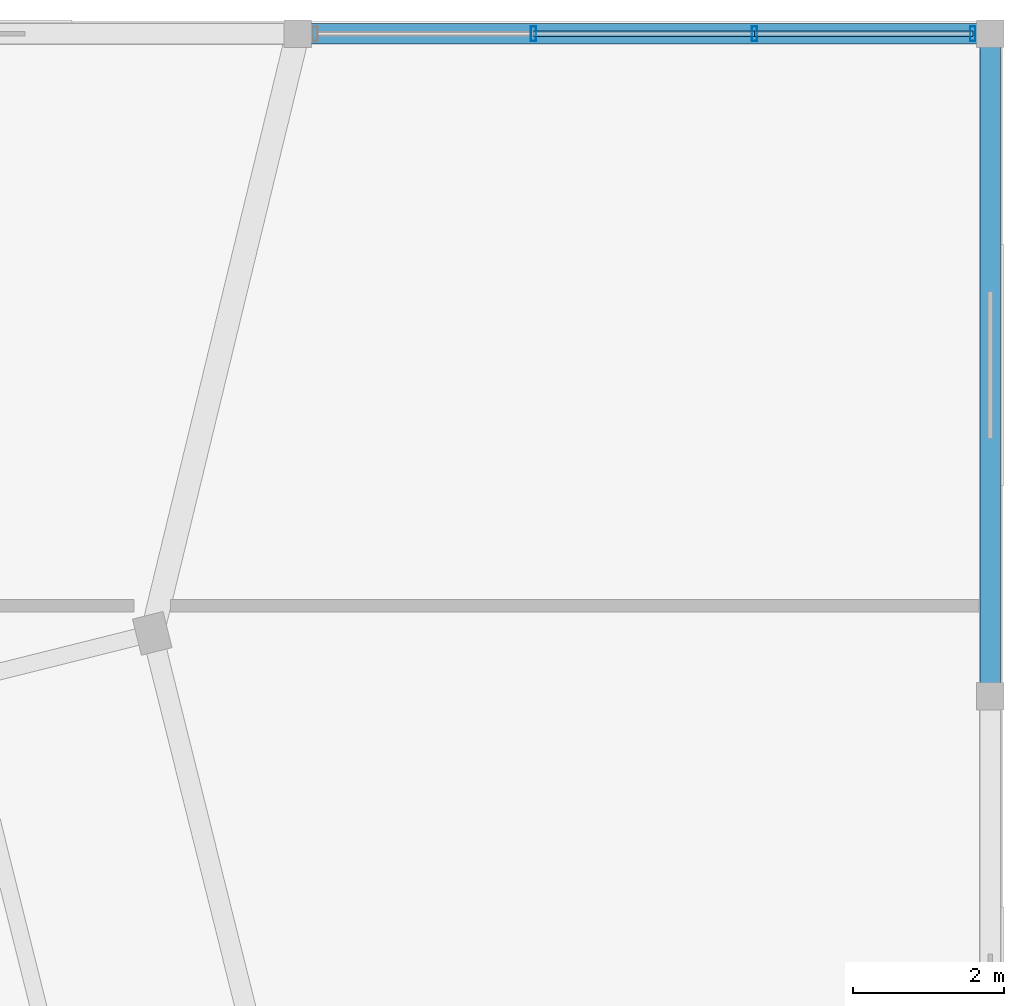
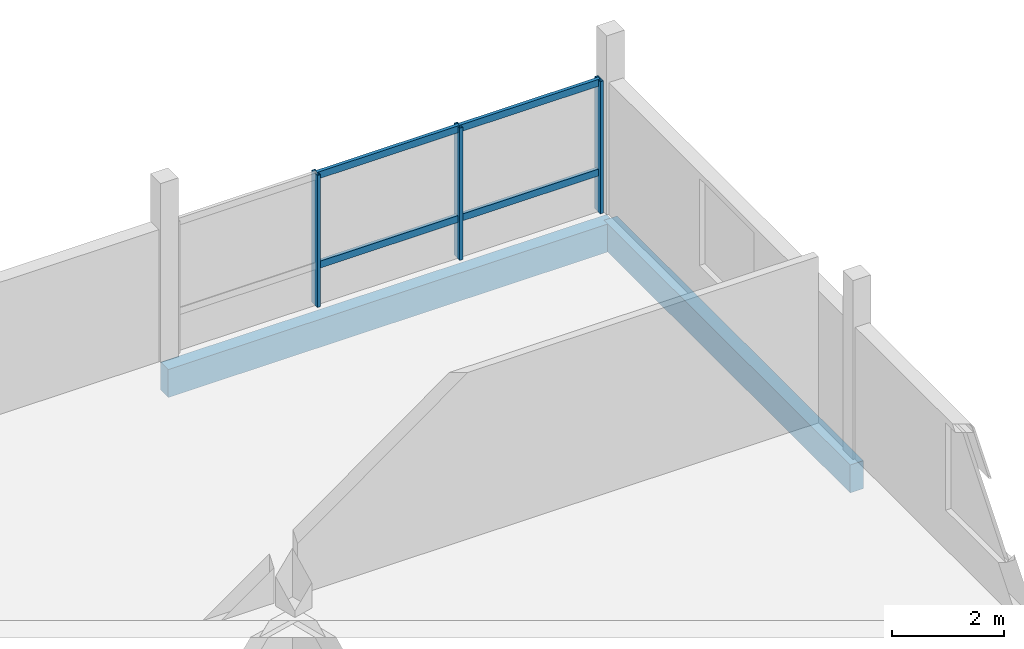
# One storey, part 31 of 39: 7 members, 2 beams, 1 element without a shape of its own.
"""IFC4 building model written with IfcOpenShell, lengths in metres."""

from ifc_helpers import new_model, si_unit, direction, frame, origin, origin_2d, place, context, subcontext, project, spatial, rectangle, hollow_rectangle, extrude, material, layer, layer_set, material_profile, profile_set, type_object, element, aggregate, save


model = new_model("IFC4")

# Units and contexts
model_context = context("Model", 3, precision=1e-05, world=origin(), true_north=direction((0.0, 1.0)))
body_context = subcontext(model_context, "Body", "Model", "MODEL_VIEW")
ifc_project = project(units=[si_unit("LENGTHUNIT", "METRE"), si_unit("AREAUNIT", "SQUARE_METRE"), si_unit("VOLUMEUNIT", "CUBIC_METRE"), si_unit("PLANEANGLEUNIT", "RADIAN"), si_unit("MASSUNIT", "GRAM", prefix="KILO")], contexts=[model_context])

# Site, building, storey
site_placement = place(None, origin())
site = spatial("IfcSite", under=ifc_project, at=site_placement, CompositionType="ELEMENT")
building_placement = place(site_placement, origin())
building = spatial("IfcBuilding", under=site, at=building_placement, Name="Meriwether Solvik Hall", CompositionType="ELEMENT")
storey_placement = place(building_placement, frame((0.0, 0.0, 22.199951171875)))
storey = spatial("IfcBuildingStorey", under=building, at=storey_placement, Name="L05", CompositionType="ELEMENT", Elevation=22.199951171875)

# Beams
ifc_material_1 = material(Name="Glulam Douglas-Fir 24F-V8 GL28h", Category="wood")
ifc_material_profile_1 = material_profile(ifc_material_1, rectangle(XDim=0.27294921875, YDim=0.610107421875, at=origin_2d()), Name="GLB-273X610")
ifc_profile_set_1 = profile_set([ifc_material_profile_1], Name="Glulam Douglas-Fir 24F-V8 GL28h")
beam_type = type_object("IfcBeamType", Name="BM-GL-273X610", PredefinedType="SPANDREL", material=ifc_profile_set_1)
beam_1_placement = place(storey_placement, frame((105.0, 92.800048828125, -0.550048828125), z_axis=(1.0, 0.0, 0.0), x_axis=(0.0, 1.0, 0.0)))
element("IfcBeam", 1, at=beam_1_placement, inside=storey, type_object=beam_type, Name="Podium Girder K:12-13 (L05)", PredefinedType="SPANDREL", context=body_context, shape_type="SweptSolid", body=[
    extrude(rectangle(XDim=0.27294921875, YDim=0.610107421875, at=origin_2d()), origin(), (0.0, 0.0, 1.0), 9.199951171875),
])
beam_2_placement = place(storey_placement, frame((114.199951171875, 84.0, -0.550048828125), z_axis=(0.0, 1.0, 0.0), x_axis=(-1.0, 0.0, 0.0)))
element("IfcBeam", 2, at=beam_2_placement, inside=storey, type_object=beam_type, Name="Podium Girder 13:J-K (L05)", PredefinedType="SPANDREL", context=body_context, shape_type="SweptSolid", body=[
    extrude(rectangle(XDim=0.27294921875, YDim=0.610107421875, at=origin_2d()), origin(), (0.0, 0.0, 1.0), 8.800048828125),
])

# Curtain wall, members
ifc_material_2 = material(Name="Thermally Broken Anodised Aluminium 6063-T6 and Low-E Glass", Category="aluminium")
ifc_layer = layer(ifc_material_2, 0.179931640625)
ifc_layer_set = layer_set([ifc_layer], Name="Thermally Broken Anodised Aluminium 6063-T6 and Low-E Glass")
curtain_wall_type = type_object("IfcCurtainWallType", Name="CW-UNIT-E", PredefinedType="USERDEFINED", material=ifc_layer_set)
curtain_wall_placement = place(storey_placement, origin())
curtain_wall = element("IfcCurtainWall", 3, at=curtain_wall_placement, inside=storey, type_object=curtain_wall_type, Name="Curtain Wall wing_XK_12_11 (L05)", ObjectType="UNITISED CURTAIN WALL", PredefinedType="USERDEFINED")
ifc_material_3 = material(Name="Anodised Aluminium 6063-T6", Category="aluminium")
ifc_material_profile_2 = material_profile(ifc_material_3, hollow_rectangle(XDim=0.070068359375, YDim=0.199951171875, WallThickness=0.0048828125, at=origin_2d()), Name="CWM-70X200")
ifc_profile_set_2 = profile_set([ifc_material_profile_2], Name="Anodised Aluminium 6063-T6")
member_type_1 = type_object("IfcMemberType", Name="CW-MUL-70X200", PredefinedType="MULLION", material=ifc_profile_set_2)
member_1_placement = place(storey_placement, frame((108.131591796875, 92.800048828125, 0.0), z_axis=(0.0, 0.0, 1.0), x_axis=(1.0, 0.0, 0.0)))
member_1 = element("IfcMember", 4, at=member_1_placement, type_object=member_type_1, Name="Curtain Wall Mullion 2", PredefinedType="MULLION", context=body_context, shape_type="SweptSolid", body=[
    extrude(hollow_rectangle(XDim=0.070068359375, YDim=0.199951171875, WallThickness=0.0048828125, at=origin_2d()), origin(), (0.0, 0.0, 1.0), 2.880126953125),
])
member_2_placement = place(storey_placement, frame((111.068603515625, 92.800048828125, 0.0), z_axis=(0.0, 0.0, 1.0), x_axis=(1.0, 0.0, 0.0)))
member_2 = element("IfcMember", 5, at=member_2_placement, type_object=member_type_1, Name="Curtain Wall Mullion 3", PredefinedType="MULLION", context=body_context, shape_type="SweptSolid", body=[
    extrude(hollow_rectangle(XDim=0.070068359375, YDim=0.199951171875, WallThickness=0.0048828125, at=origin_2d()), origin(), (0.0, 0.0, 1.0), 2.880126953125),
])
member_3_placement = place(storey_placement, frame((113.967529296875, 92.800048828125, 0.0), z_axis=(0.0, 0.0, 1.0), x_axis=(1.0, 0.0, 0.0)))
member_3 = element("IfcMember", 6, at=member_3_placement, type_object=member_type_1, Name="Curtain Wall Mullion 4", PredefinedType="MULLION", context=body_context, shape_type="SweptSolid", body=[
    extrude(hollow_rectangle(XDim=0.070068359375, YDim=0.199951171875, WallThickness=0.0048828125, at=origin_2d()), origin(), (0.0, 0.0, 1.0), 2.880126953125),
])
ifc_material_4 = material(Name="Anodised Aluminium 6063-T6", Category="aluminium")
ifc_material_profile_3 = material_profile(ifc_material_4, hollow_rectangle(XDim=0.070068359375, YDim=0.14990234375, WallThickness=0.0048828125, at=origin_2d()), Name="CWT-70X150")
ifc_profile_set_3 = profile_set([ifc_material_profile_3], Name="Anodised Aluminium 6063-T6")
member_type_2 = type_object("IfcMemberType", Name="CW-TRN-70X150", PredefinedType="USERDEFINED", material=ifc_profile_set_3)
member_4_placement = place(storey_placement, frame((108.131591796875, 92.800048828125, 0.864013671875), z_axis=(1.0, 0.0, 0.0), x_axis=(0.0, 1.0, 0.0)))
member_4 = element("IfcMember", 7, at=member_4_placement, type_object=member_type_2, Name="Curtain Wall Transom 2-sill", ObjectType="TRANSOM", PredefinedType="USERDEFINED", context=body_context, shape_type="SweptSolid", body=[
    extrude(hollow_rectangle(XDim=0.070068359375, YDim=0.14990234375, WallThickness=0.0048828125, at=origin_2d()), origin(), (0.0, 0.0, 1.0), 2.93701171875),
])
member_5_placement = place(storey_placement, frame((108.131591796875, 92.800048828125, 2.820068359375), z_axis=(1.0, 0.0, 0.0), x_axis=(0.0, 1.0, 0.0)))
member_5 = element("IfcMember", 8, at=member_5_placement, type_object=member_type_2, Name="Curtain Wall Transom 2-head", ObjectType="TRANSOM", PredefinedType="USERDEFINED", context=body_context, shape_type="SweptSolid", body=[
    extrude(hollow_rectangle(XDim=0.070068359375, YDim=0.14990234375, WallThickness=0.0048828125, at=origin_2d()), origin(), (0.0, 0.0, 1.0), 2.93701171875),
])
member_6_placement = place(storey_placement, frame((111.068603515625, 92.800048828125, 0.864013671875), z_axis=(1.0, 0.0, 0.0), x_axis=(0.0, 1.0, 0.0)))
member_6 = element("IfcMember", 9, at=member_6_placement, type_object=member_type_2, Name="Curtain Wall Transom 3-sill", ObjectType="TRANSOM", PredefinedType="USERDEFINED", context=body_context, shape_type="SweptSolid", body=[
    extrude(hollow_rectangle(XDim=0.070068359375, YDim=0.14990234375, WallThickness=0.0048828125, at=origin_2d()), origin(), (0.0, 0.0, 1.0), 2.89892578125),
])
member_7_placement = place(storey_placement, frame((111.068603515625, 92.800048828125, 2.820068359375), z_axis=(1.0, 0.0, 0.0), x_axis=(0.0, 1.0, 0.0)))
member_7 = element("IfcMember", 10, at=member_7_placement, type_object=member_type_2, Name="Curtain Wall Transom 3-head", ObjectType="TRANSOM", PredefinedType="USERDEFINED", context=body_context, shape_type="SweptSolid", body=[
    extrude(hollow_rectangle(XDim=0.070068359375, YDim=0.14990234375, WallThickness=0.0048828125, at=origin_2d()), origin(), (0.0, 0.0, 1.0), 2.89892578125),
])
aggregate(curtain_wall, [member_1, member_2, member_3, member_4, member_5, member_6, member_7])

save(model, "model.ifc")
